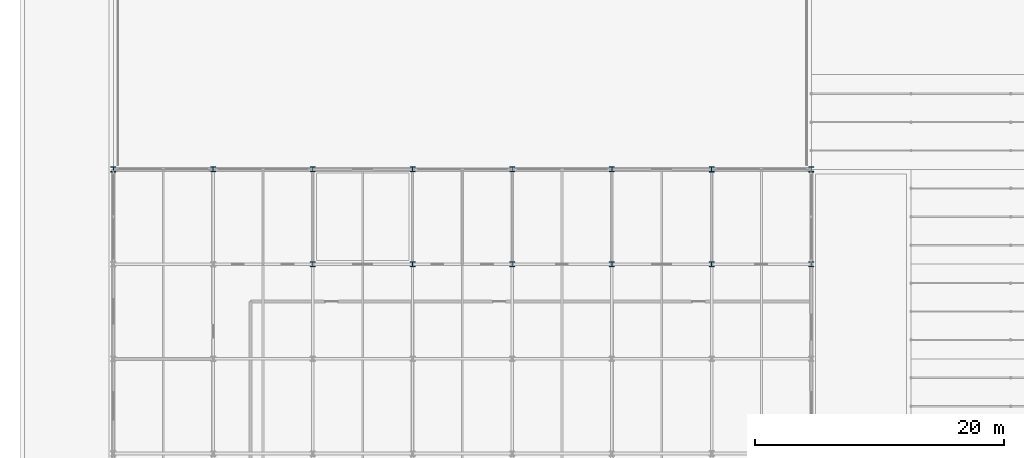
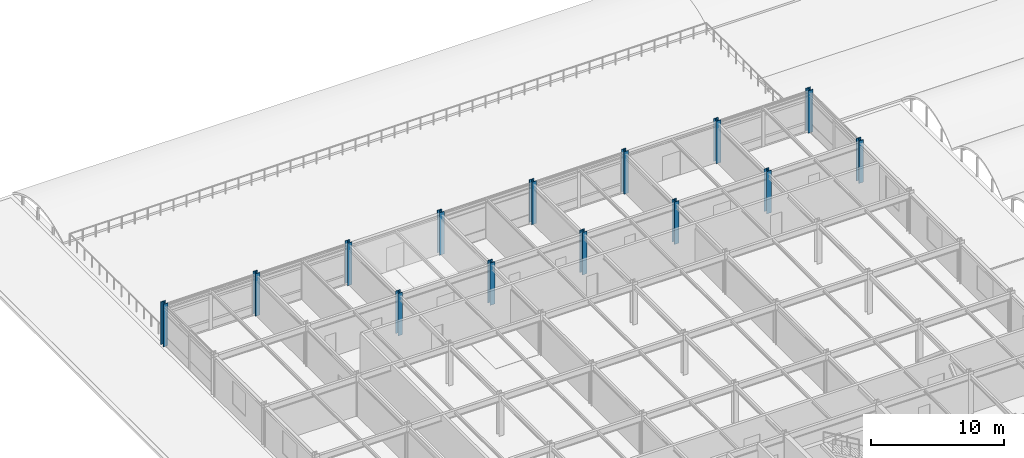
# One storey, part 2 of 46: 14 columns.
"""IFC4 building model written with IfcOpenShell, lengths in metres."""

from ifc_helpers import new_model, si_unit, direction, frame, origin, origin_2d, place, context, subcontext, project, spatial, i_section, extrude, material, material_profile, profile_set, type_object, element, save


model = new_model("IFC4")

# Units and contexts
model_context = context("Model", 3, precision=1e-05, world=origin(), true_north=direction((0.0, 1.0)))
body_context = subcontext(model_context, "Body", "Model", "MODEL_VIEW")
ifc_project = project(units=[si_unit("LENGTHUNIT", "METRE"), si_unit("AREAUNIT", "SQUARE_METRE"), si_unit("VOLUMEUNIT", "CUBIC_METRE"), si_unit("PLANEANGLEUNIT", "RADIAN"), si_unit("MASSUNIT", "GRAM", prefix="KILO")], contexts=[model_context])

# Site, building, storey
site_placement = place(None, origin())
site = spatial("IfcSite", under=ifc_project, at=site_placement, CompositionType="ELEMENT")
building_placement = place(site_placement, origin())
building = spatial("IfcBuilding", under=site, at=building_placement, Name="Shalkamar Park Central Library", CompositionType="ELEMENT")
storey_placement = place(building_placement, frame((0.0, 0.0, 20.39990234375)))
storey = spatial("IfcBuildingStorey", under=building, at=storey_placement, Name="L05", CompositionType="ELEMENT", Elevation=20.39990234375)

# Columns
ifc_material = material(Name="Steel S355", Category="steel")
ifc_material_profile_1 = material_profile(ifc_material, i_section(OverallWidth=0.40087890625, OverallDepth=0.39892578125, WebThickness=0.02490234375, FlangeThickness=0.03955078125, FilletRadius=0.014892578125, at=origin_2d()), Name="HD 400x314")
ifc_profile_set_1 = profile_set([ifc_material_profile_1], Name="Steel S355")
column_type_1 = type_object("IfcColumnType", Name="Column Steel HD400x314", PredefinedType="COLUMN", material=ifc_profile_set_1)
for number, where, z_axis, x_axis, name in (
    (1, (173.0, 293.199951171875, 0.0), (0.0, 0.0, 1.0), (1.0, 0.0, 0.0), "Column 08/H (L05)"),
    (2, (181.0, 285.60009765625, 0.0), (0.0, 0.0, 1.0), (1.0, 0.0, 0.0), "Column 09/G (L05)"),
    (3, (181.0, 293.199951171875, 0.0), (0.0, 0.0, 1.0), (1.0, 0.0, 0.0), "Column 09/H (L05)"),
    (4, (189.0, 285.60009765625, 0.0), (0.0, 0.0, 1.0), (1.0, 0.0, 0.0), "Column 10/G (L05)"),
    (5, (189.0, 293.199951171875, 0.0), (0.0, 0.0, 1.0), (1.0, 0.0, 0.0), "Column 10/H (L05)"),
    (6, (197.0, 285.60009765625, 0.0), (0.0, 0.0, 1.0), (1.0, 0.0, 0.0), "Column 11/G (L05)"),
    (7, (197.0, 293.199951171875, 0.0), (0.0, 0.0, 1.0), (1.0, 0.0, 0.0), "Column 11/H (L05)"),
    (8, (205.0, 285.60009765625, 0.0), (0.0, 0.0, 1.0), (1.0, 0.0, 0.0), "Column 12/G (L05)"),
    (9, (205.0, 293.199951171875, 0.0), (0.0, 0.0, 1.0), (1.0, 0.0, 0.0), "Column 12/H (L05)"),
):
    element("IfcColumn", number, at=place(storey_placement, frame(where, z_axis=z_axis, x_axis=x_axis)), inside=storey, type_object=column_type_1, Name=name, PredefinedType="COLUMN", context=body_context, shape_type="SweptSolid", body=[
        extrude(i_section(OverallWidth=0.40087890625, OverallDepth=0.39892578125, WebThickness=0.02490234375, FlangeThickness=0.03955078125, FilletRadius=0.014892578125, at=origin_2d()), origin(), (0.0, 0.0, 1.0), 3.900146484375),
    ])
ifc_material_profile_2 = material_profile(ifc_material, i_section(OverallWidth=0.406005859375, OverallDepth=0.416015625, WebThickness=0.02978515625, FlangeThickness=0.048095703125, FilletRadius=0.014892578125, at=origin_2d()), Name="HD 400x382")
ifc_profile_set_2 = profile_set([ifc_material_profile_2], Name="Steel S355")
column_type_2 = type_object("IfcColumnType", Name="Column Steel HD400x382", PredefinedType="COLUMN", material=ifc_profile_set_2)
for number, where, z_axis, x_axis, name in (
    (10, (165.0, 293.199951171875, 0.0), (0.0, 0.0, 1.0), (1.0, 0.0, 0.0), "Column 07/H (L05)"),
    (11, (213.0, 285.60009765625, 0.0), (0.0, 0.0, 1.0), (1.0, 0.0, 0.0), "Column 13/G (L05)"),
    (12, (213.0, 293.199951171875, 0.0), (0.0, 0.0, 1.0), (1.0, 0.0, 0.0), "Column 13/H (L05)"),
    (13, (221.0, 285.60009765625, 0.0), (0.0, 0.0, 1.0), (1.0, 0.0, 0.0), "Column 14/G (L05)"),
    (14, (221.0, 293.199951171875, 0.0), (0.0, 0.0, 1.0), (1.0, 0.0, 0.0), "Column 14/H (L05)"),
):
    element("IfcColumn", number, at=place(storey_placement, frame(where, z_axis=z_axis, x_axis=x_axis)), inside=storey, type_object=column_type_2, Name=name, PredefinedType="COLUMN", context=body_context, shape_type="SweptSolid", body=[
        extrude(i_section(OverallWidth=0.406005859375, OverallDepth=0.416015625, WebThickness=0.02978515625, FlangeThickness=0.048095703125, FilletRadius=0.014892578125, at=origin_2d()), origin(), (0.0, 0.0, 1.0), 3.900146484375),
    ])

save(model, "model.ifc")
